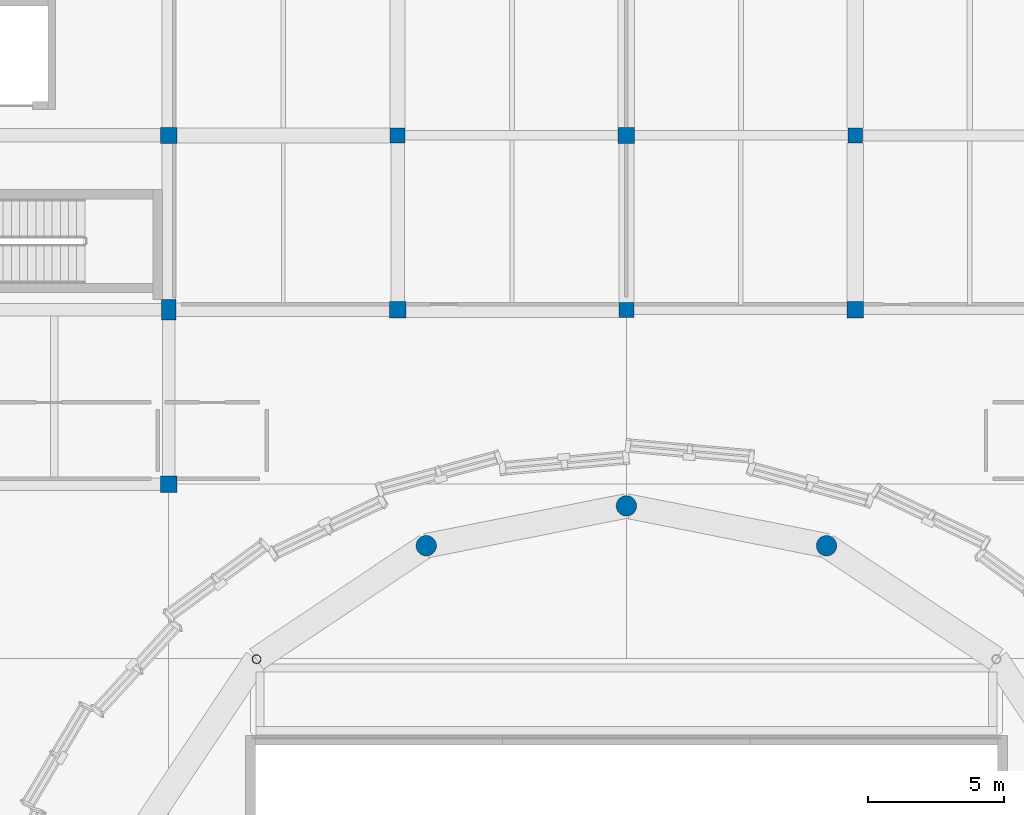
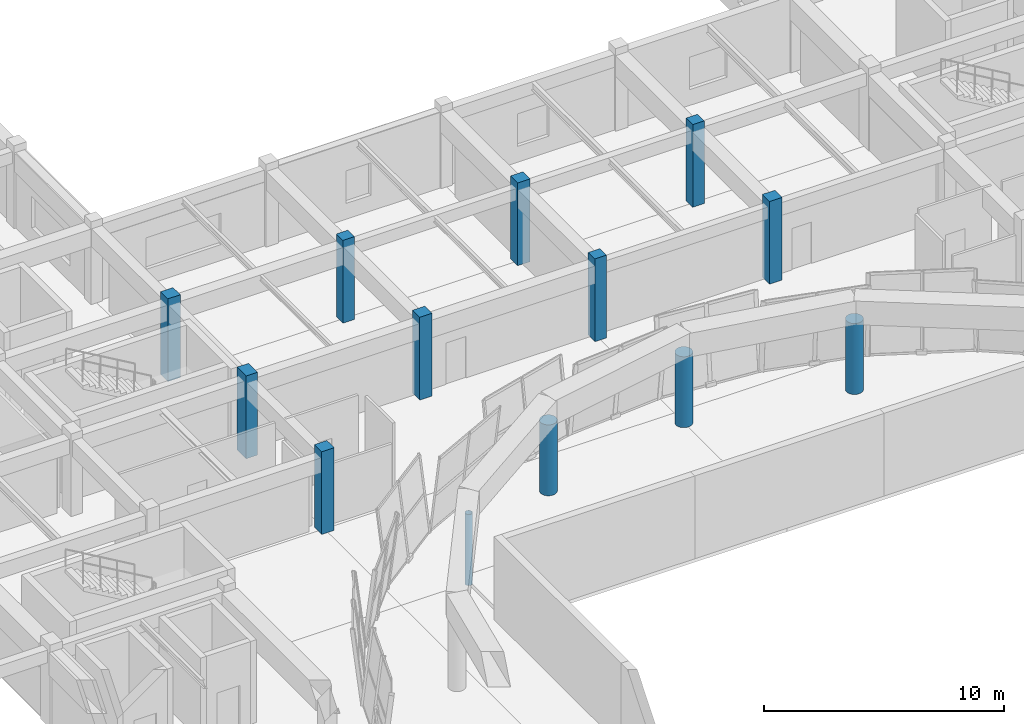
# One storey, part 3 of 40: 13 columns.
"""IFC4 building model written with IfcOpenShell, lengths in metres."""

from ifc_helpers import new_model, si_unit, direction, frame, origin, origin_2d, place, context, subcontext, project, spatial, rectangle, circle, hollow_circle, extrude, material, material_profile, profile_set, type_object, element, save


model = new_model("IFC4")

# Units and contexts
model_context = context("Model", 3, precision=1e-05, world=origin(), true_north=direction((0.0, 1.0)))
body_context = subcontext(model_context, "Body", "Model", "MODEL_VIEW")
ifc_project = project(units=[si_unit("LENGTHUNIT", "METRE"), si_unit("AREAUNIT", "SQUARE_METRE"), si_unit("VOLUMEUNIT", "CUBIC_METRE"), si_unit("PLANEANGLEUNIT", "RADIAN"), si_unit("MASSUNIT", "GRAM", prefix="KILO")], contexts=[model_context])

# Site, building, storey
site_placement = place(None, origin())
site = spatial("IfcSite", under=ifc_project, at=site_placement, CompositionType="ELEMENT")
building_placement = place(site_placement, origin())
building = spatial("IfcBuilding", under=site, at=building_placement, Name="Korsvaeld Concert Hall", CompositionType="ELEMENT")
storey_placement = place(building_placement, frame((0.0, 0.0, 13.199951171875)))
storey = spatial("IfcBuildingStorey", under=building, at=storey_placement, Name="L03", CompositionType="ELEMENT", Elevation=13.199951171875)

# Columns
ifc_material_1 = material(Name="Concrete C40/50", Category="concrete")
ifc_material_profile_1 = material_profile(ifc_material_1, circle(Radius=0.375, at=origin_2d()), Name="RC D750")
ifc_profile_set_1 = profile_set([ifc_material_profile_1], Name="Concrete C40/50")
column_type_1 = type_object("IfcColumnType", Name="COL-DRUM-D750", PredefinedType="COLUMN", material=ifc_profile_set_1)
for number, where, z_axis, x_axis, name in (
    (1, (91.347412109375, 80.9384765625, 0.0), (0.0, 0.0, 1.0), (1.0, 0.0, 0.0), "Drum column D04 L03"),
    (2, (84.0, 82.39990234375, 0.0), (0.0, 0.0, 1.0), (1.0, 0.0, 0.0), "Drum column D05 L03"),
    (3, (76.652587890625, 80.9384765625, 0.0), (0.0, 0.0, 1.0), (1.0, 0.0, 0.0), "Drum column D06 L03"),
):
    element("IfcColumn", number, at=place(storey_placement, frame(where, z_axis=z_axis, x_axis=x_axis)), inside=storey, type_object=column_type_1, Name=name, PredefinedType="COLUMN", context=body_context, shape_type="SweptSolid", body=[
        extrude(circle(Radius=0.375, at=origin_2d()), origin(), (0.0, 0.0, 1.0), 3.60009765625),
    ])
ifc_material_profile_2 = material_profile(ifc_material_1, rectangle(XDim=0.550048828125, YDim=0.550048828125, at=origin_2d()), Name="RC 550x550")
ifc_profile_set_2 = profile_set([ifc_material_profile_2], Name="Concrete C40/50")
column_type_2 = type_object("IfcColumnType", Name="COL-RC-550x550", PredefinedType="COLUMN", material=ifc_profile_set_2)
for number, where, z_axis, x_axis, name in (
    (4, (75.60009765625, 96.0, 0.0), (0.0, 0.0, 1.0), (1.0, 0.0, 0.0), "Column 11/P L03"),
    (5, (84.0, 89.60009765625, 0.0), (0.0, 0.0, 1.0), (1.0, 0.0, 0.0), "Column 12/N L03"),
    (6, (92.39990234375, 96.0, 0.0), (0.0, 0.0, 1.0), (1.0, 0.0, 0.0), "Column 13/P L03"),
):
    element("IfcColumn", number, at=place(storey_placement, frame(where, z_axis=z_axis, x_axis=x_axis)), inside=storey, type_object=column_type_2, Name=name, PredefinedType="COLUMN", context=body_context, shape_type="SweptSolid", body=[
        extrude(rectangle(XDim=0.550048828125, YDim=0.550048828125, at=origin_2d()), origin(), (0.0, 0.0, 1.0), 4.199951171875),
    ])
ifc_material_profile_3 = material_profile(ifc_material_1, rectangle(XDim=0.550048828125, YDim=0.75, at=origin_2d()), Name="RC 550x750")
ifc_profile_set_3 = profile_set([ifc_material_profile_3], Name="Concrete C40/50")
column_type_3 = type_object("IfcColumnType", Name="COL-RC-550x750", PredefinedType="COLUMN", material=ifc_profile_set_3)
column_1_placement = place(storey_placement, frame((67.199951171875, 89.60009765625, 0.0), z_axis=(0.0, 0.0, 1.0), x_axis=(1.0, 0.0, 0.0)))
element("IfcColumn", 7, at=column_1_placement, inside=storey, type_object=column_type_3, Name="Column 10/N L03", PredefinedType="COLUMN", context=body_context, shape_type="SweptSolid", body=[
    extrude(rectangle(XDim=0.550048828125, YDim=0.75, at=origin_2d()), origin(), (0.0, 0.0, 1.0), 4.199951171875),
])
ifc_material_profile_4 = material_profile(ifc_material_1, rectangle(XDim=0.60009765625, YDim=0.60009765625, at=origin_2d()), Name="RC 600x600")
ifc_profile_set_4 = profile_set([ifc_material_profile_4], Name="Concrete C40/50")
column_type_4 = type_object("IfcColumnType", Name="COL-RC-600x600", PredefinedType="COLUMN", material=ifc_profile_set_4)
for number, where, z_axis, x_axis, name in (
    (8, (67.199951171875, 83.199951171875, 0.0), (0.0, 0.0, 1.0), (1.0, 0.0, 0.0), "Column 10/M L03"),
    (9, (67.199951171875, 96.0, 0.0), (0.0, 0.0, 1.0), (1.0, 0.0, 0.0), "Column 10/P L03"),
    (10, (75.60009765625, 89.60009765625, 0.0), (0.0, 0.0, 1.0), (1.0, 0.0, 0.0), "Column 11/N L03"),
    (11, (84.0, 96.0, 0.0), (0.0, 0.0, 1.0), (1.0, 0.0, 0.0), "Column 12/P L03"),
    (12, (92.39990234375, 89.60009765625, 0.0), (0.0, 0.0, 1.0), (1.0, 0.0, 0.0), "Column 13/N L03"),
):
    element("IfcColumn", number, at=place(storey_placement, frame(where, z_axis=z_axis, x_axis=x_axis)), inside=storey, type_object=column_type_4, Name=name, PredefinedType="COLUMN", context=body_context, shape_type="SweptSolid", body=[
        extrude(rectangle(XDim=0.60009765625, YDim=0.60009765625, at=origin_2d()), origin(), (0.0, 0.0, 1.0), 4.199951171875),
    ])
ifc_material_2 = material(Name="Steel S355J2", Category="steel")
ifc_material_profile_5 = material_profile(ifc_material_2, hollow_circle(Radius=0.161865234375, WallThickness=0.012451171875, at=origin_2d()), Name="CHS 323.9x12.5")
ifc_profile_set_5 = profile_set([ifc_material_profile_5], Name="Steel S355J2")
column_type_5 = type_object("IfcColumnType", Name="COL-STL-CHS323", PredefinedType="COLUMN", material=ifc_profile_set_5)
column_2_placement = place(storey_placement, frame((70.423583984375, 76.776611328125, 0.0), z_axis=(0.0, 0.0, 1.0), x_axis=(1.0, 0.0, 0.0)))
element("IfcColumn", 13, at=column_2_placement, inside=storey, type_object=column_type_5, Name="Drum column D07 L03", PredefinedType="COLUMN", context=body_context, shape_type="SweptSolid", body=[
    extrude(hollow_circle(Radius=0.161865234375, WallThickness=0.012451171875, at=origin_2d()), origin(), (0.0, 0.0, 1.0), 3.60009765625),
])

save(model, "model.ifc")
